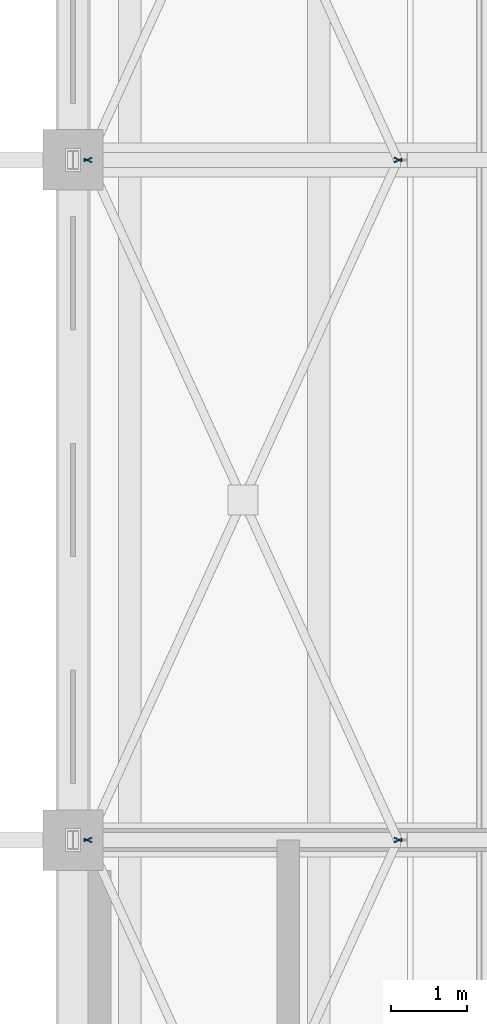
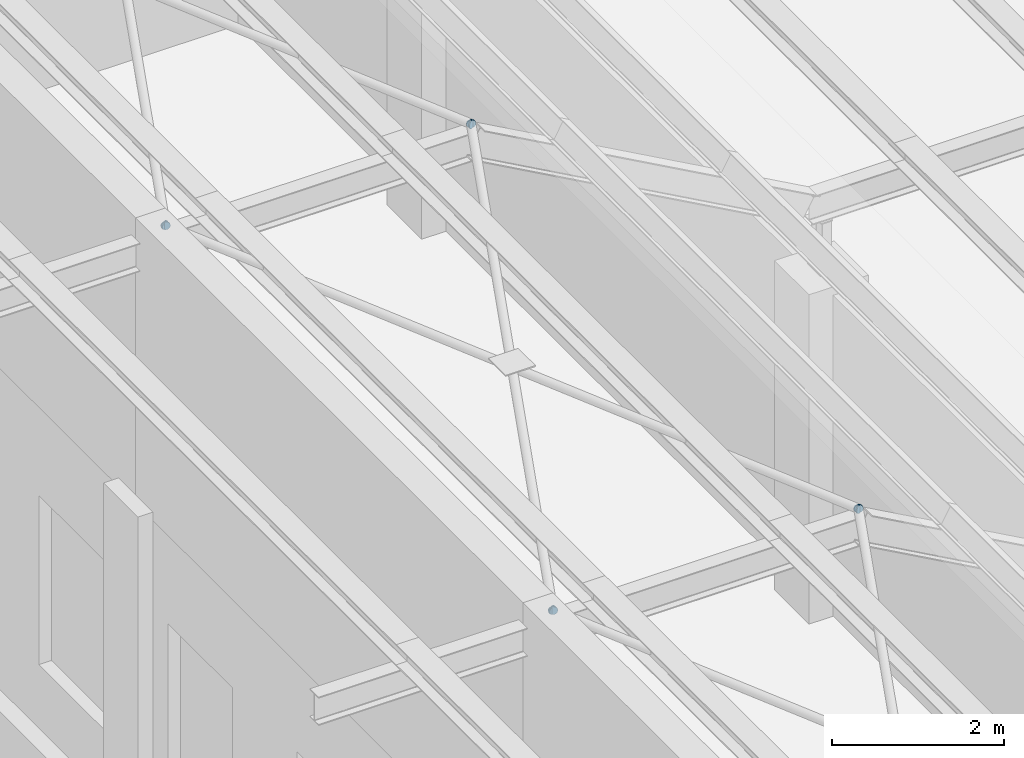
# One storey, part 252 of 437: 8 plates.
"""IFC4 building model written with IfcOpenShell, lengths in metres."""

from ifc_helpers import new_model, si_unit, direction, frame, origin, place, context, subcontext, project, spatial, polyline, outline, extrude, material, layer, layer_set, type_object, element, save


model = new_model("IFC4")

# Units and contexts
model_context = context("Model", 3, precision=1e-05, world=origin(), true_north=direction((0.0, 1.0)))
body_context = subcontext(model_context, "Body", "Model", "MODEL_VIEW")
ifc_project = project(units=[si_unit("LENGTHUNIT", "METRE"), si_unit("AREAUNIT", "SQUARE_METRE"), si_unit("VOLUMEUNIT", "CUBIC_METRE"), si_unit("PLANEANGLEUNIT", "RADIAN"), si_unit("MASSUNIT", "GRAM", prefix="KILO")], contexts=[model_context])

# Site, building, storey
site_placement = place(None, origin())
site = spatial("IfcSite", under=ifc_project, at=site_placement, CompositionType="ELEMENT")
building_placement = place(site_placement, origin())
building = spatial("IfcBuilding", under=site, at=building_placement, Name="Opaline Strait Convention Centre", CompositionType="ELEMENT")
storey_placement = place(building_placement, frame((0.0, 0.0, 11.5)))
storey = spatial("IfcBuildingStorey", under=building, at=storey_placement, Name="L02", CompositionType="ELEMENT", Elevation=11.5)

# Plates
ifc_material = material(Name="Steel Q355B", Category="steel")
ifc_layer = layer(ifc_material, 0.014892578125)
ifc_layer_set = layer_set([ifc_layer], Name="Steel Q355B")
plate_type = type_object("IfcPlateType", Name="Brace end plate 15 Q355B", PredefinedType="SHEET", material=ifc_layer_set)
plate_1_placement = place(storey_placement, frame((13.358154296875, 26.989990234375, 8.35693359375), z_axis=(0.414546759903, 0.910028012675, 0.0), x_axis=(-0.175211684293, 0.079814505718, -0.981290227387)))
element("IfcPlate", 1, at=plate_1_placement, inside=storey, type_object=plate_type, Name="Brace end plate 2-9-1 B", PredefinedType="SHEET", context=body_context, shape_type="SweptSolid", body=[
    extrude(outline(polyline([(0.0, 0.0), (0.022142802423366807, -8.673617379884035e-19), (0.042727250513924286, 0.008542007924152075), (0.05828100582850139, 0.024413026651226875), (0.06682195282960912, 0.04511902450470354), (0.06669550240146707, 0.06729920113890982), (0.05827249081068095, 0.08777145225734975), (0.042441871869317464, 0.10345829089687414), (0.021960200179139418, 0.11192457784020315), (-0.000441661016957879, 0.11187226917352971), (-0.02078653629809482, 0.10328325578414493), (-0.0365603784587825, 0.08755855665420899), (-0.04505854916977963, 0.06707057676838037), (-0.04497487503174818, 0.044672382166526046), (-0.036331776594851484, 0.024053811450947264), (-0.020740730462908537, 0.008413978276655572), (0.0, 0.0)])), origin(), (0.0, 0.0, -1.0), 0.014892578125),
])
plate_2_placement = place(storey_placement, frame((9.24560546875, 27.037353515625, 8.35693359375), z_axis=(-0.414546759903, 0.910028012675, 0.0), x_axis=(-0.179211623196, -0.081636605355, -0.980417594078)))
element("IfcPlate", 2, at=plate_2_placement, inside=storey, type_object=plate_type, Name="Brace end plate 2-9-3 B", PredefinedType="SHEET", context=body_context, shape_type="SweptSolid", body=[
    extrude(outline(polyline([(0.0, 0.0), (0.022162510909890694, 8.673617379884035e-19), (0.042785030570389286, 0.008449679604664397), (0.058389819747743, 0.024151614034705997), (0.0669797153948215, 0.04460130640421782), (0.06699641236914419, 0.0669996510750849), (0.058685155940435, 0.08760866746105381), (0.04292499144569943, 0.10336628840039641), (0.022461533519843202, 0.11182504651710427), (7.95936576276253e-05, 0.11197235089320826), (-0.02030356623869179, 0.1034745927271315), (-0.03616764599207897, 0.08772151104381062), (-0.044801294476851855, 0.06705399458378838), (-0.04477423861348016, 0.04487347400343172), (-0.03620369160873751, 0.024315604870742094), (-0.02068288687818111, 0.008606062492811843), (0.0, 0.0)])), origin(), (0.0, 0.0, -1.0), 0.014892578125),
])
plate_3_placement = place(storey_placement, frame((9.251953125, 26.976318359375, 8.35693359375), z_axis=(0.41375908061, 0.910386414229, 0.0), x_axis=(-0.188026382977, 0.085455606691, -0.978439276905)))
element("IfcPlate", 3, at=plate_3_placement, inside=storey, type_object=plate_type, Name="Brace end plate 3-9-1 A", PredefinedType="SHEET", context=body_context, shape_type="SweptSolid", body=[
    extrude(outline(polyline([(0.0, 0.0), (0.02220732153531475, 0.0), (0.042911707863981734, 0.00824702728410063), (0.05862383718407851, 0.02357778397414023), (0.06745975706591488, 0.04415970001291812), (0.0676502081119258, 0.06633939224732127), (0.059520564651876925, 0.08692997013084658), (0.04391568093916447, 0.102841370967483), (0.023557031363154568, 0.11159928561350353), (0.0011567379299084087, 0.11186717929579817), (-0.01930877162217055, 0.1035697285014835), (-0.03530568259751196, 0.08807192514957736), (-0.044095697600691715, 0.06770747928288005), (-0.044332053525359266, 0.04531031687639631), (-0.035917628410065745, 0.024886785654737544), (-0.020551621473941312, 0.009025808328315173), (0.0, 0.0)])), origin(), (0.0, 0.0, -1.0), 0.014892578125),
])
plate_4_placement = place(storey_placement, frame((13.358154296875, 35.989990234375, 8.35693359375), z_axis=(0.414546759903, 0.910028012675, 0.0), x_axis=(-0.175211684293, 0.079814505718, -0.981290227387)))
element("IfcPlate", 4, at=plate_4_placement, inside=storey, type_object=plate_type, Name="Brace end plate 3-9-1 B", PredefinedType="SHEET", context=body_context, shape_type="SweptSolid", body=[
    extrude(outline(polyline([(0.0, 0.0), (0.022142802423366807, -8.673617379884035e-19), (0.042727250513924286, 0.008542007924152075), (0.05828100582850139, 0.024413026651226875), (0.06682195282960912, 0.04511902450470354), (0.06669550240146707, 0.06729920113890982), (0.05827249081068095, 0.08777145225734975), (0.042441871869317464, 0.10345829089687414), (0.021960200179139418, 0.11192457784020315), (-0.000441661016957879, 0.11187226917352971), (-0.02078653629809482, 0.10328325578414493), (-0.0365603784587825, 0.08755855665420899), (-0.04505854916977963, 0.06707057676838037), (-0.04497487503174818, 0.044672382166526046), (-0.036331776594851484, 0.024053811450947264), (-0.020740730462908537, 0.008413978276655572), (0.0, 0.0)])), origin(), (0.0, 0.0, -1.0), 0.014892578125),
])
plate_5_placement = place(storey_placement, frame((13.351806640625, 27.023681640625, 8.35693359375), z_axis=(-0.41375908061, 0.910386414229, 0.0), x_axis=(-0.179276737257, -0.081479003666, -0.980418800024)))
element("IfcPlate", 5, at=plate_5_placement, inside=storey, type_object=plate_type, Name="Brace end plate 3-9-2 A", PredefinedType="SHEET", context=body_context, shape_type="SweptSolid", body=[
    extrude(outline(polyline([(0.0, 0.0), (0.022162483649305856, 8.673617379884035e-19), (0.04278494893070467, 0.008449792777866992), (0.05838965693499103, 0.0241518973650234), (0.06697942188954967, 0.044601615143985696), (0.06699599346920582, 0.06700001851048218), (0.05862092687885372, 0.08729192251350287), (0.04286066325311855, 0.10304943382457994), (0.022460825206383577, 0.11182506698919197), (1.5212763796283724e-05, 0.11165523393934706), (-0.020367892459002966, 0.10315736406586684), (-0.03616819178720702, 0.08772124671978179), (-0.04480172547644752, 0.06705361879536137), (-0.0447745283214218, 0.044873125574323006), (-0.03620387040715202, 0.02431523433023096), (-0.020682966840016408, 0.008605800114767123), (0.0, 0.0)])), origin(), (0.0, 0.0, -1.0), 0.014892578125),
])
plate_6_placement = place(storey_placement, frame((9.24560546875, 36.037353515625, 8.35693359375), z_axis=(-0.414546759903, 0.910028012675, 0.0), x_axis=(-0.179211623196, -0.081636605355, -0.980417594078)))
element("IfcPlate", 6, at=plate_6_placement, inside=storey, type_object=plate_type, Name="Brace end plate 3-9-3 B", PredefinedType="SHEET", context=body_context, shape_type="SweptSolid", body=[
    extrude(outline(polyline([(0.0, 0.0), (0.022162510909890694, 8.673617379884035e-19), (0.042785030570389286, 0.008449679604664397), (0.058389819747743, 0.024151614034705997), (0.0669797153948215, 0.04460130640421782), (0.06699641236914419, 0.0669996510750849), (0.058685155940435, 0.08760866746105381), (0.04292499144569943, 0.10336628840039641), (0.022461533519843202, 0.11182504651710427), (7.95936576276253e-05, 0.11197235089320826), (-0.02030356623869179, 0.1034745927271315), (-0.03616764599207897, 0.08772151104381062), (-0.044801294476851855, 0.06705399458378838), (-0.04477423861348016, 0.04487347400343172), (-0.03620369160873751, 0.024315604870742094), (-0.02068288687818111, 0.008606062492811843), (0.0, 0.0)])), origin(), (0.0, 0.0, -1.0), 0.014892578125),
])
plate_7_placement = place(storey_placement, frame((9.251953125, 35.976318359375, 8.35693359375), z_axis=(0.41375908061, 0.910386414229, 0.0), x_axis=(-0.188026382977, 0.085455606691, -0.978439276905)))
element("IfcPlate", 7, at=plate_7_placement, inside=storey, type_object=plate_type, Name="Brace end plate 4-9-1 A", PredefinedType="SHEET", context=body_context, shape_type="SweptSolid", body=[
    extrude(outline(polyline([(0.0, 0.0), (0.02220732153531475, 0.0), (0.042911707863981734, 0.00824702728410063), (0.05862383718407851, 0.02357778397414023), (0.06745975706591488, 0.04415970001291812), (0.0676502081119258, 0.06633939224732127), (0.059520564651876925, 0.08692997013084658), (0.04391568093916447, 0.102841370967483), (0.023557031363154568, 0.11159928561350353), (0.0011567379299084087, 0.11186717929579817), (-0.01930877162217055, 0.1035697285014835), (-0.03530568259751196, 0.08807192514957736), (-0.044095697600691715, 0.06770747928288005), (-0.044332053525359266, 0.04531031687639631), (-0.035917628410065745, 0.024886785654737544), (-0.020551621473941312, 0.009025808328315173), (0.0, 0.0)])), origin(), (0.0, 0.0, -1.0), 0.014892578125),
])
plate_8_placement = place(storey_placement, frame((13.351806640625, 36.023681640625, 8.35693359375), z_axis=(-0.41375908061, 0.910386414229, 0.0), x_axis=(-0.179276737257, -0.081479003666, -0.980418800024)))
element("IfcPlate", 8, at=plate_8_placement, inside=storey, type_object=plate_type, Name="Brace end plate 4-9-2 A", PredefinedType="SHEET", context=body_context, shape_type="SweptSolid", body=[
    extrude(outline(polyline([(0.0, 0.0), (0.022162483649305856, 8.673617379884035e-19), (0.04278494893070467, 0.008449792777866992), (0.05838965693499103, 0.0241518973650234), (0.06697942188954967, 0.044601615143985696), (0.06699599346920582, 0.06700001851048218), (0.05862092687885372, 0.08729192251350287), (0.04286066325311855, 0.10304943382457994), (0.022460825206383577, 0.11182506698919197), (1.5212763796283724e-05, 0.11165523393934706), (-0.020367892459002966, 0.10315736406586684), (-0.03616819178720702, 0.08772124671978179), (-0.04480172547644752, 0.06705361879536137), (-0.0447745283214218, 0.044873125574323006), (-0.03620387040715202, 0.02431523433023096), (-0.020682966840016408, 0.008605800114767123), (0.0, 0.0)])), origin(), (0.0, 0.0, -1.0), 0.014892578125),
])

save(model, "model.ifc")
